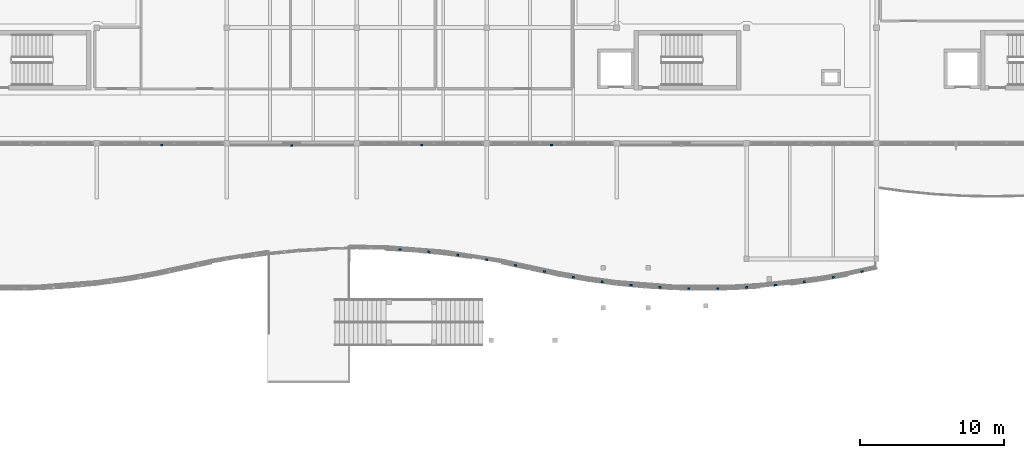
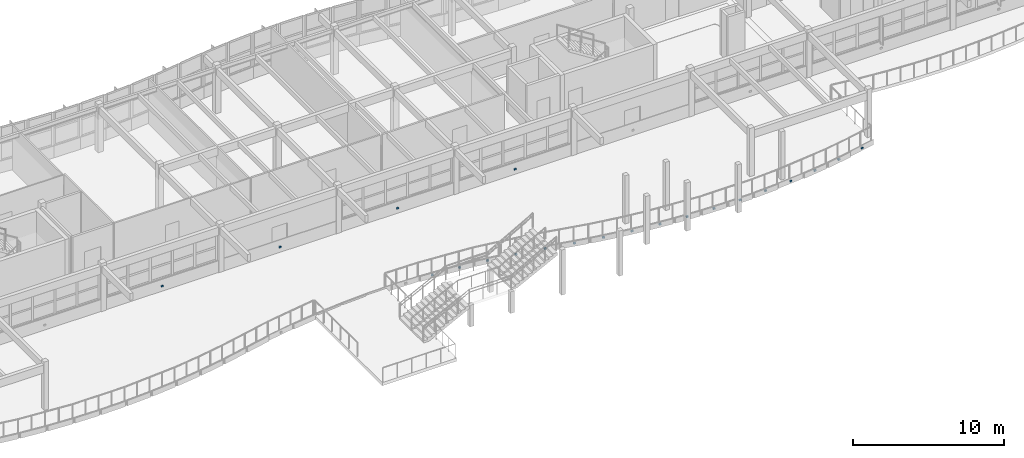
# One storey, part 49 of 63: 21 discrete accessories.
"""IFC4 building model written with IfcOpenShell, lengths in metres."""

from ifc_helpers import new_model, si_unit, direction, frame, origin, origin_2d, place, context, subcontext, project, spatial, rectangle, extrude, material, type_object, element, save


model = new_model("IFC4")

# Units and contexts
model_context = context("Model", 3, precision=1e-05, world=origin(), true_north=direction((0.0, 1.0)))
body_context = subcontext(model_context, "Body", "Model", "MODEL_VIEW")
ifc_project = project(units=[si_unit("LENGTHUNIT", "METRE"), si_unit("AREAUNIT", "SQUARE_METRE"), si_unit("VOLUMEUNIT", "CUBIC_METRE"), si_unit("PLANEANGLEUNIT", "RADIAN"), si_unit("MASSUNIT", "GRAM", prefix="KILO")], contexts=[model_context])

# Site, building, storey
site_placement = place(None, origin())
site = spatial("IfcSite", under=ifc_project, at=site_placement, CompositionType="ELEMENT")
building_placement = place(site_placement, origin())
building = spatial("IfcBuilding", under=site, at=building_placement, Name="Tonlespit Floodbar School", CompositionType="ELEMENT")
storey_placement = place(building_placement, frame((0.0, 0.0, 8.39990234375)))
storey = spatial("IfcBuildingStorey", under=building, at=storey_placement, Name="L02", CompositionType="ELEMENT", Elevation=8.39990234375)

# Discrete accessories
ifc_material = material(Name="Galvanised Steel", Category="steel")
discrete_accessory_type = type_object("IfcDiscreteAccessoryType", Name="Bracket_Facade_S355", PredefinedType="BRACKET", material=ifc_material)
for number, where, z_axis, x_axis, name in (
    (1, (93.5, 103.8701171875, 0.35498046875), (0.0, 0.0, 1.0), (-1.0, 0.0, 0.0), "L02 white band support bracket 0169"),
    (2, (84.5, 103.8701171875, 0.35498046875), (0.0, 0.0, 1.0), (-1.0, 0.0, 0.0), "L02 white band support bracket 0170"),
    (3, (75.5, 103.85009765625, 0.380126953125), (0.0, 0.0, 1.0), (-1.0, 0.0, 0.0), "L02 white band support bracket 0171"),
    (4, (66.5, 103.8701171875, 0.35498046875), (0.0, 0.0, 1.0), (-1.0, 0.0, 0.0), "L02 white band support bracket 0172"),
    (5, (83.0, 96.63720703125, -0.14990234375), (0.0, 0.0, 1.0), (0.998333769428, -0.057703421212, 0.0), "L02 white band support bracket 0197"),
    (6, (85.0, 96.48291015625, -0.14990234375), (0.0, 0.0, 1.0), (0.995361841764, -0.096201891669, 0.0), "L02 white band support bracket 0198"),
    (7, (87.0, 96.250244140625, -0.14990234375), (0.0, 0.0, 1.0), (0.990898113281, -0.13461400037, 0.0), "L02 white band support bracket 0199"),
    (8, (89.0, 95.938720703125, -0.14990234375), (0.0, 0.0, 1.0), (0.984904884962, -0.17309641122, 0.0), "L02 white band support bracket 0200"),
    (9, (91.0, 95.54638671875, -0.14990234375), (0.0, 0.0, 1.0), (0.977356843161, -0.21159773422, 0.0), "L02 white band support bracket 0201"),
    (10, (93.0, 95.113525390625, -0.14990234375), (0.0, 0.0, 1.0), (0.977356843161, -0.21159773422, 0.0), "L02 white band support bracket 0202"),
    (11, (95.0, 94.72119140625, -0.14990234375), (0.0, 0.0, 1.0), (0.984904884962, -0.17309641122, 0.0), "L02 white band support bracket 0203"),
    (12, (97.0, 94.40966796875, -0.14990234375), (0.0, 0.0, 1.0), (0.990898113281, -0.13461400037, 0.0), "L02 white band support bracket 0204"),
    (13, (99.0, 94.17724609375, -0.14990234375), (0.0, 0.0, 1.0), (0.995361841764, -0.096201891669, 0.0), "L02 white band support bracket 0205"),
    (14, (101.0, 94.022705078125, -0.14990234375), (0.0, 0.0, 1.0), (0.998333769428, -0.057703421212, 0.0), "L02 white band support bracket 0206"),
    (15, (103.0, 93.94580078125, -0.14990234375), (0.0, 0.0, 1.0), (0.999814772764, -0.01924630259, 0.0), "L02 white band support bracket 0207"),
    (16, (105.0, 93.94580078125, -0.14990234375), (0.0, 0.0, 1.0), (0.999814772764, 0.01924630259, 0.0), "L02 white band support bracket 0208"),
    (17, (107.0, 94.022705078125, -0.14990234375), (0.0, 0.0, 1.0), (0.998333769428, 0.057703421212, 0.0), "L02 white band support bracket 0209"),
    (18, (109.0, 94.17724609375, -0.14990234375), (0.0, 0.0, 1.0), (0.995361841764, 0.096201891669, 0.0), "L02 white band support bracket 0210"),
    (19, (111.0, 94.40966796875, -0.14990234375), (0.0, 0.0, 1.0), (0.990898113281, 0.13461400037, 0.0), "L02 white band support bracket 0211"),
    (20, (113.0, 94.72119140625, -0.14990234375), (0.0, 0.0, 1.0), (0.984904884962, 0.17309641122, 0.0), "L02 white band support bracket 0212"),
    (21, (115.0, 95.113525390625, -0.14990234375), (0.0, 0.0, 1.0), (0.977356843161, 0.21159773422, 0.0), "L02 white band support bracket 0213"),
):
    element("IfcDiscreteAccessory", number, at=place(storey_placement, frame(where, z_axis=z_axis, x_axis=x_axis)), inside=storey, type_object=discrete_accessory_type, Name=name, PredefinedType="BRACKET", context=body_context, shape_type="SweptSolid", body=[
        extrude(rectangle(XDim=0.159912109375, YDim=0.1201171875, at=origin_2d()), origin(), (0.0, 0.0, 1.0), 0.1201171875),
    ])

save(model, "model.ifc")
